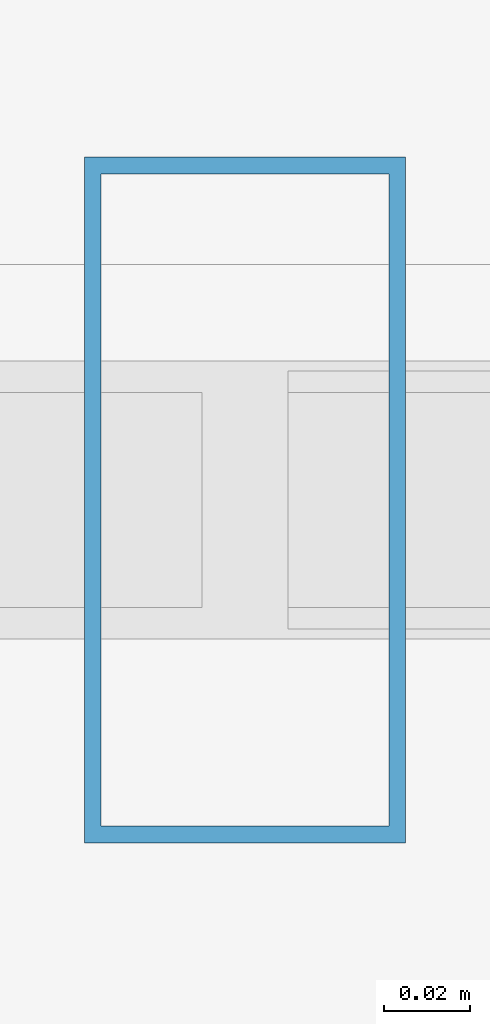
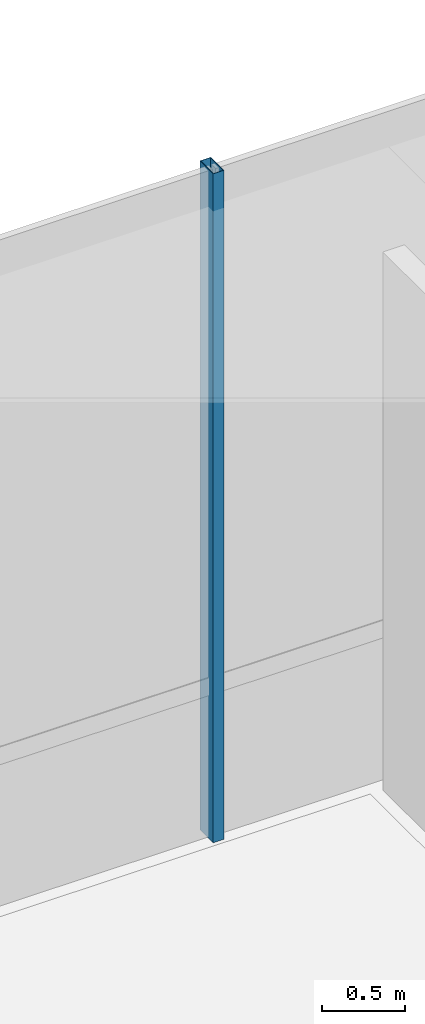
# One storey, part 16 of 39: 1 member, 1 element without a shape of its own.
"""IFC4 building model written with IfcOpenShell, lengths in metres."""

import ifcopenshell
import ifcopenshell.guid

model = None  # the IFC model being written
_history = None  # IfcOwnerHistory: only IFC2X3 demands one
_inside = {}  # id of a spatial element -> (the spatial element, [elements in it])
_under = {}  # id of a project, library or spatial element -> (it, [spatial elements below it])
_declared = {}  # id of a project -> (the project, [libraries it declares])
_typed = {}  # id of a type object -> (the type object, [elements of that type])
_made_of = {}  # id of a material, layer set ... -> (it, [elements and type objects made of it])


def new_model(schema):
    """Start an empty IFC model of exactly this schema.

    Asked for "IFC4X3", IfcOpenShell would pick the latest addendum, in which some entities
    have other attributes; the version numbers below select the first issue.
    IFC2X3 requires an IfcOwnerHistory on every rooted entity: one is made here for all.
    """
    global model, _history
    if schema == "IFC4X3":
        model = ifcopenshell.file(schema_version=(4, 3, 0, 0))
    else:
        model = ifcopenshell.file(schema=schema)
    _inside.clear()
    _under.clear()
    _declared.clear()
    _typed.clear()
    _made_of.clear()
    _history = None
    if model.schema == "IFC2X3":
        org = make("IfcOrganization", Name="unknown")
        user = make(
            "IfcPersonAndOrganization",
            ThePerson=make("IfcPerson", FamilyName="unknown"),
            TheOrganization=org,
        )
        app = make(
            "IfcApplication",
            ApplicationDeveloper=org,
            Version="unknown",
            ApplicationFullName="unknown",
            ApplicationIdentifier="unknown",
        )
        _history = make(
            "IfcOwnerHistory",
            OwningUser=user,
            OwningApplication=app,
            ChangeAction="ADDED",
            CreationDate=0,
        )
    return model


def make(cls, **values):
    """One entity of the class cls with the attributes given. An attribute that is None is left unset."""
    return model.create_entity(
        cls, **{name: value for name, value in values.items() if value is not None}
    )


def rooted(cls, **values):
    """An entity with a GlobalId (a new one), such as an element, a storey or a relation."""
    return make(cls, GlobalId=ifcopenshell.guid.new(), OwnerHistory=_history, **values)


def si_unit(unit_type, name, prefix=None):
    """IfcSIUnit, for example si_unit("LENGTHUNIT", "METRE", prefix="MILLI")."""
    return make("IfcSIUnit", UnitType=unit_type, Prefix=prefix, Name=name)


def assignment(units):
    """IfcUnitAssignment: the units of a project."""
    return None if units is None else make("IfcUnitAssignment", Units=units)


def point(xyz):
    """IfcCartesianPoint."""
    return None if xyz is None else make("IfcCartesianPoint", Coordinates=xyz)


def direction(xyz):
    """IfcDirection."""
    return None if xyz is None else make("IfcDirection", DirectionRatios=xyz)


def frame(location, z_axis=None, x_axis=None):
    """IfcAxis2Placement3D, a coordinate frame: its origin and axes. An axis left out is left unset."""
    return make(
        "IfcAxis2Placement3D",
        Location=point(location),
        Axis=direction(z_axis),
        RefDirection=direction(x_axis),
    )


def frame_2d(location, x_axis=None):
    """IfcAxis2Placement2D, a coordinate frame in the plane: its origin and x axis."""
    return make(
        "IfcAxis2Placement2D", Location=point(location), RefDirection=direction(x_axis)
    )


def origin():
    """The frame at (0, 0, 0) with its axes left unset."""
    return frame((0.0, 0.0, 0.0))


def origin_2d():
    """The frame at (0, 0) in the plane with its x axis left unset."""
    return frame_2d((0.0, 0.0))


def place(relative_to, where):
    """IfcLocalPlacement: puts the frame where relative to a parent placement (None: the world)."""
    return make(
        "IfcLocalPlacement", PlacementRelTo=relative_to, RelativePlacement=where
    )


def context(
    kind, dimensions, precision=None, world=None, true_north=None, identifier=None
):
    """IfcGeometricRepresentationContext, for example the 3D "Model" context."""
    return make(
        "IfcGeometricRepresentationContext",
        ContextIdentifier=identifier,
        ContextType=kind,
        CoordinateSpaceDimension=dimensions,
        Precision=precision,
        WorldCoordinateSystem=world,
        TrueNorth=true_north,
    )


def subcontext(parent, identifier, kind, view, scale=None):
    """IfcGeometricRepresentationSubContext, for example "Body" below "Model"."""
    return make(
        "IfcGeometricRepresentationSubContext",
        ContextIdentifier=identifier,
        ContextType=kind,
        ParentContext=parent,
        TargetScale=scale,
        TargetView=view,
    )


def project(units=None, contexts=None):
    """IfcProject with its units and contexts."""
    return rooted(
        "IfcProject",
        Name="project",
        RepresentationContexts=contexts,
        UnitsInContext=assignment(units),
    )


def spatial(cls, under=None, at=None, **own):
    """A site, building, storey or space (cls), placed at a placement, below another one or the project."""
    s = rooted(cls, ObjectPlacement=at, **own)
    if under is not None:
        _under.setdefault(under.id(), (under, []))[1].append(s)
    return s


def profile(cls, at=None, kind="AREA", **sizes):
    """A parametric profile (cls). Its sizes go by their IFC names, for example OverallWidth=200.0."""
    return make(cls, ProfileType=kind, Position=at, **sizes)


def hollow_rectangle(**sizes):
    """IfcRectangleHollowProfileDef."""
    return profile("IfcRectangleHollowProfileDef", **sizes)


def extrude(swept, where, along, depth):
    """IfcExtrudedAreaSolid: the profile swept, set in the frame where, extruded along a direction by depth."""
    return make(
        "IfcExtrudedAreaSolid",
        SweptArea=swept,
        Position=where,
        ExtrudedDirection=direction(along),
        Depth=depth,
    )


def shape(context_of_items, identifier, shape_type, items):
    """IfcShapeRepresentation: the items that make up one representation, for example the "Body"."""
    return make(
        "IfcShapeRepresentation",
        ContextOfItems=context_of_items,
        RepresentationIdentifier=identifier,
        RepresentationType=shape_type,
        Items=items,
    )


def source(mapping_origin, context_of_items, identifier, shape_type, items):
    """IfcRepresentationMap: a shape defined once, which mapped items show again and again."""
    return make(
        "IfcRepresentationMap",
        MappingOrigin=mapping_origin,
        MappedRepresentation=shape(context_of_items, identifier, shape_type, items),
    )


def transform(
    local_origin,
    x_axis=None,
    y_axis=None,
    z_axis=None,
    scale=None,
    scale2=None,
    scale3=None,
    uniform=True,
):
    """IfcCartesianTransformationOperator3D, or its non-uniform kind. x_axis, y_axis, z_axis: its Axis1, 2, 3."""
    if uniform:
        return make(
            "IfcCartesianTransformationOperator3D",
            Axis1=direction(x_axis),
            Axis2=direction(y_axis),
            LocalOrigin=point(local_origin),
            Scale=scale,
            Axis3=direction(z_axis),
        )
    return make(
        "IfcCartesianTransformationOperator3DnonUniform",
        Axis1=direction(x_axis),
        Axis2=direction(y_axis),
        LocalOrigin=point(local_origin),
        Scale=scale,
        Axis3=direction(z_axis),
        Scale2=scale2,
        Scale3=scale3,
    )


def mapped(mapping_source, mapping_target):
    """IfcMappedItem: shows the shape of a source again, moved by a transform."""
    return make(
        "IfcMappedItem", MappingSource=mapping_source, MappingTarget=mapping_target
    )


def material(Name=None, Category=None):
    """IfcMaterial."""
    return make("IfcMaterial", Name=Name, Category=Category)


def material_profile(
    of_material, cross_section, Name=None, Category=None, Priority=None
):
    """IfcMaterialProfile: a cross section and its material."""
    return make(
        "IfcMaterialProfile",
        Name=Name,
        Material=of_material,
        Profile=cross_section,
        Priority=Priority,
        Category=Category,
    )


def profile_set(profiles, Name=None, composite=None):
    """IfcMaterialProfileSet."""
    return make(
        "IfcMaterialProfileSet",
        Name=Name,
        MaterialProfiles=profiles,
        CompositeProfile=composite,
    )


def made_of(thing, what):
    """Note that an element or type object is made of a material, layer set ...; save() writes the relation."""
    if what is not None:
        _made_of.setdefault(what.id(), (what, []))[1].append(thing)
    return thing


def type_object(cls, material=None, **own):
    """A type object (cls), such as IfcWallType, which elements share."""
    return made_of(rooted(cls, **own), material)


def element(
    cls,
    number,
    at=None,
    inside=None,
    cuts=None,
    type_object=None,
    material=None,
    context=None,
    identifier="Body",
    shape_type=None,
    held_by="IfcProductDefinitionShape",
    body=None,
    shapes=None,
    **own,
):
    """One element of the class cls, such as IfcWall. Its Tag is "e" and its number.

    at: its placement. inside: the storey or other place that contains it. cuts: it is an
    opening in that element (IfcRelVoidsElement). A single representation is given by context,
    identifier, shape_type and body (its items); several are given by shapes. held_by: the class
    of the entity that holds the representations. save() writes the other relations.
    """
    e = rooted(cls, Tag="e%d" % number, ObjectPlacement=at, **own)
    if body is not None:
        shapes = [shape(context, identifier, shape_type, body)]
    if shapes is not None:
        e.Representation = make(held_by, Representations=shapes)
    if inside is not None:
        _inside.setdefault(inside.id(), (inside, []))[1].append(e)
    if cuts is not None:
        rooted(
            "IfcRelVoidsElement", RelatingBuildingElement=cuts, RelatedOpeningElement=e
        )
    if type_object is not None:
        _typed.setdefault(type_object.id(), (type_object, []))[1].append(e)
    return made_of(e, material)


def aggregate(whole, parts):
    """IfcRelAggregates: a whole, such as a stair, and the parts it consists of."""
    return rooted("IfcRelAggregates", RelatingObject=whole, RelatedObjects=parts)


def save(model, path):
    """Write the relations noted so far, then the file.

    IfcRelAggregates (storeys below a building ...), IfcRelContainedInSpatialStructure (elements
    in a storey), IfcRelDefinesByType, IfcRelAssociatesMaterial and IfcRelDeclares: one each for
    every whole, place, type object, material and project.
    """
    for whole, parts in _under.values():
        aggregate(whole, parts)
    for where, things in _inside.values():
        rooted(
            "IfcRelContainedInSpatialStructure",
            RelatedElements=things,
            RelatingStructure=where,
        )
    for kind, things in _typed.values():
        rooted("IfcRelDefinesByType", RelatedObjects=things, RelatingType=kind)
    for what, things in _made_of.values():
        rooted("IfcRelAssociatesMaterial", RelatedObjects=things, RelatingMaterial=what)
    for by, libraries in _declared.values():
        rooted("IfcRelDeclares", RelatingContext=by, RelatedDefinitions=libraries)
    model.write(path)


model = new_model("IFC4")

# Units and contexts
model_context = context("Model", 3, precision=1e-05, world=origin(), true_north=direction((0.0, 1.0)))
body_context = subcontext(model_context, "Body", "Model", "MODEL_VIEW")
ifc_project = project(units=[si_unit("LENGTHUNIT", "METRE"), si_unit("AREAUNIT", "SQUARE_METRE"), si_unit("VOLUMEUNIT", "CUBIC_METRE"), si_unit("PLANEANGLEUNIT", "RADIAN"), si_unit("MASSUNIT", "GRAM", prefix="KILO")], contexts=[model_context])

# Site, building, storey
site_placement = place(None, origin())
site = spatial("IfcSite", under=ifc_project, at=site_placement, CompositionType="ELEMENT")
building_placement = place(site_placement, origin())
building = spatial("IfcBuilding", under=site, at=building_placement, Name="Valdorenza Pilgrim Sanctuary Tower", CompositionType="ELEMENT")
storey_placement = place(building_placement, frame((0.0, 0.0, 10.39990234375)))
storey = spatial("IfcBuildingStorey", under=building, at=storey_placement, Name="L02", CompositionType="ELEMENT", Elevation=10.39990234375)

# Curtain wall, member
ifc_material_1 = material(Name="Curtain-wall IGU glazing", Category="glass")
curtain_wall_type = type_object("IfcCurtainWallType", Name="CW-SYS-01", PredefinedType="NOTDEFINED", material=ifc_material_1)
curtain_wall_placement = place(storey_placement, origin())
curtain_wall = element("IfcCurtainWall", 1, at=curtain_wall_placement, inside=storey, type_object=curtain_wall_type, Name="L02 Curtain Wall CW-POD-L02-NN", PredefinedType="NOTDEFINED")
ifc_material_2 = material(Name="Anodised aluminium AW-6060", Category="aluminium")
ifc_material_profile = material_profile(ifc_material_2, hollow_rectangle(XDim=0.074951171875, YDim=0.159912109375, WallThickness=0.00390625, at=origin_2d()), Name="ALU-M 160x75x4")
ifc_profile_set = profile_set([ifc_material_profile], Name="Anodised aluminium AW-6060")
member_type = type_object("IfcMemberType", Name="CW-MUL-01", PredefinedType="MULLION", material=ifc_profile_set)
shared_shape = source(origin(), body_context, "Body", "SweptSolid", [
    extrude(hollow_rectangle(XDim=0.074951171875, YDim=0.159912109375, WallThickness=0.00390625, at=origin_2d()), origin(), (0.0, 0.0, 1.0), 4.920166015625),
])
member_placement = place(storey_placement, frame((0.0, 22.85009765625, 0.0), z_axis=(0.0, 0.0, 1.0), x_axis=(1.0, 0.0, 0.0)))
member = element("IfcMember", 2, at=member_placement, type_object=member_type, Name="CW-POD-L02-NN Mullion 3", PredefinedType="MULLION", context=body_context, shape_type="MappedRepresentation", body=[
    mapped(shared_shape, transform((0.0, 0.0, 0.0), x_axis=(1.0, 0.0, 0.0), y_axis=(0.0, 1.0, 0.0), z_axis=(0.0, 0.0, 1.0), scale=1.0)),
])
aggregate(curtain_wall, [member])

save(model, "model.ifc")
